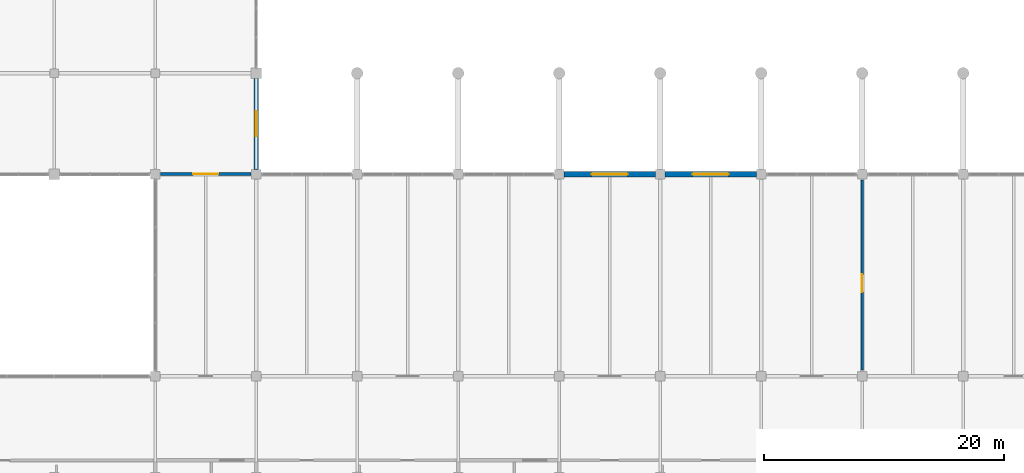
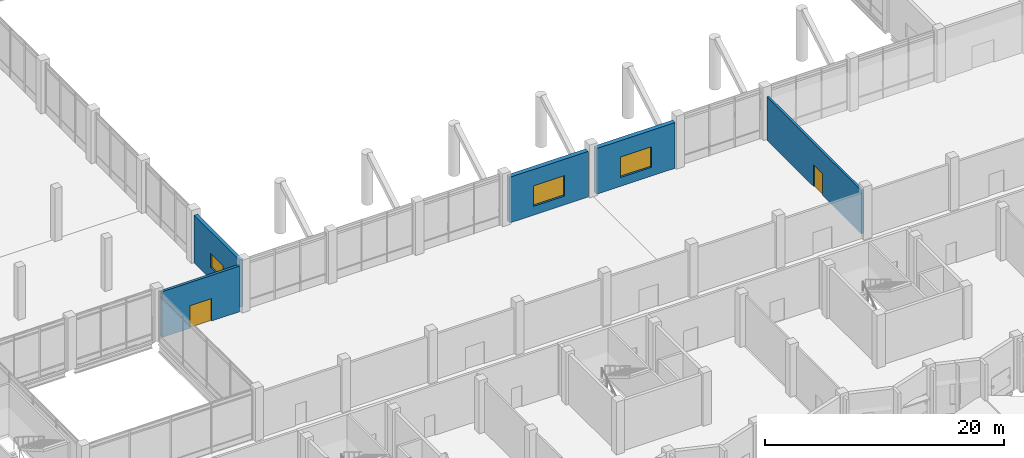
# One storey, part 53 of 72: 5 walls, 3 windows, 2 doors, 5 openings.
"""IFC4 building model written with IfcOpenShell, lengths in metres."""

from ifc_helpers import new_model, si_unit, direction, frame, frame_2d, origin, place, context, subcontext, project, spatial, rectangle, extrude, material, layer, layer_set, type_object, element, fill, save


model = new_model("IFC4")

# Units and contexts
model_context = context("Model", 3, precision=1e-05, world=origin(), true_north=direction((0.0, 1.0)))
body_context = subcontext(model_context, "Body", "Model", "MODEL_VIEW")
ifc_project = project(units=[si_unit("LENGTHUNIT", "METRE"), si_unit("AREAUNIT", "SQUARE_METRE"), si_unit("VOLUMEUNIT", "CUBIC_METRE"), si_unit("PLANEANGLEUNIT", "RADIAN"), si_unit("MASSUNIT", "GRAM", prefix="KILO")], contexts=[model_context])

# Site, building, storey
site_placement = place(None, origin())
site = spatial("IfcSite", under=ifc_project, at=site_placement, CompositionType="ELEMENT")
building_placement = place(site_placement, origin())
building = spatial("IfcBuilding", under=site, at=building_placement, Name="Qawsi Khor Wholesale Market", CompositionType="ELEMENT")
storey_placement = place(building_placement, frame((0.0, 0.0, 6.0)))
storey = spatial("IfcBuildingStorey", under=building, at=storey_placement, Name="L01", CompositionType="ELEMENT", Elevation=6.0)

# Wall, opening, door
ifc_material_1 = material(Name="Gypsum Fireboard on Steel Stud", Category="steel")
ifc_layer_1 = layer(ifc_material_1, 0.2099609375, Name="Gypsum Fireboard on Steel Stud")
ifc_layer_set_1 = layer_set([ifc_layer_1], Name="Gypsum Fireboard on Steel Stud")
wall_type_1 = type_object("IfcWallType", Name="Corridor Fire Partition Wall 210", PredefinedType="PARTITIONING", material=ifc_layer_set_1)
wall_1_placement = place(storey_placement, frame((126.0, 25.699951171875, 0.0), z_axis=(0.0, 0.0, 1.0), x_axis=(0.0, 1.0, 0.0)))
wall_1 = element("IfcWall", 1, at=wall_1_placement, inside=storey, type_object=wall_type_1, Name="PW-L01-070", PredefinedType="PARTITIONING", context=body_context, shape_type="SweptSolid", body=[
    extrude(rectangle(XDim=15.800048828125, YDim=0.2099609375, at=frame_2d((7.89990234375, 0.0))), origin(), (0.0, 0.0, 1.0), 4.429931640625),
])
opening_1_placement = place(wall_1_placement, frame((6.5, 0.0, 0.0)))
opening_1 = element("IfcOpeningElement", 2, at=opening_1_placement, cuts=wall_1, Name="Opening ID-10", PredefinedType="OPENING", context=body_context, shape_type="SweptSolid", body=[
    extrude(rectangle(XDim=1.4599609375, YDim=2.219970703125, at=frame_2d((0.72998046875, 1.10986328125))), frame((0.0, 0.114990234375, 0.0), z_axis=(0.0, -1.0, 0.0), x_axis=(1.0, 0.0, 0.0)), (0.0, 0.0, 1.0), 0.22998046875),
])
ifc_material_2 = material(Name="Brushed Stainless Steel", Category="steel")
door_type_1 = type_object("IfcDoorType", Name="Commercial Kitchen Service Door 1460x2220 FD60S", OperationType="NOTDEFINED", PredefinedType="DOOR", material=ifc_material_2)
door_1_placement = place(opening_1_placement, origin())
door_1 = element("IfcDoor", 3, at=door_1_placement, inside=storey, type_object=door_type_1, Name="Commercial Kitchen Service Door 1460x2220 FD60S L01-078", OperationType="SINGLE_SWING_LEFT", OverallHeight=2.219970703125, OverallWidth=1.4599609375, PredefinedType="DOOR", context=body_context, shape_type="SweptSolid", body=[
    extrude(rectangle(XDim=1.4599609375, YDim=2.219970703125, at=frame_2d((0.72998046875, 1.10986328125))), frame((0.0, 0.02490234375, 0.0), z_axis=(0.0, -1.0, 0.0), x_axis=(1.0, 0.0, 0.0)), (0.0, 0.0, 1.0), 0.050048828125),
])
fill(opening_1, door_1)

ifc_material_3 = material(Name="Concrete Blockwork & Plaster", Category="masonry")
ifc_layer_2 = layer(ifc_material_3, 0.25, Name="Concrete Blockwork & Plaster")
ifc_layer_set_2 = layer_set([ifc_layer_2], Name="Concrete Blockwork & Plaster")
wall_type_2 = type_object("IfcWallType", Name="Fire Compartment Masonry Wall 250", PredefinedType="SOLIDWALL", material=ifc_layer_set_2)
wall_2_placement = place(storey_placement, frame((67.64990234375, 42.0, 0.0), z_axis=(0.0, 0.0, 1.0), x_axis=(1.0, 0.0, 0.0)))
wall_2 = element("IfcWall", 4, at=wall_2_placement, inside=storey, type_object=wall_type_2, Name="Grid F fire compartment wall L01-08", PredefinedType="SOLIDWALL", context=body_context, shape_type="SweptSolid", body=[
    extrude(rectangle(XDim=7.5, YDim=0.25, at=frame_2d((3.75, 0.0))), origin(), (0.0, 0.0, 1.0), 4.669921875),
])
opening_2_placement = place(wall_2_placement, frame((2.699951171875, 0.0, 0.0)))
opening_2 = element("IfcOpeningElement", 5, at=opening_2_placement, cuts=wall_2, Name="Opening ID-03", PredefinedType="OPENING", context=body_context, shape_type="SweptSolid", body=[
    extrude(rectangle(XDim=2.10009765625, YDim=2.300048828125, at=frame_2d((1.050048828125, 1.14990234375))), frame((0.0, 0.135009765625, 0.0), z_axis=(0.0, -1.0, 0.0), x_axis=(1.0, 0.0, 0.0)), (0.0, 0.0, 1.0), 0.27001953125),
])
ifc_material_4 = material(Name="Glazed Steel Fire Door", Category="steel")
door_type_2 = type_object("IfcDoorType", Name="Hall Concourse Double Door 2100x2300 FD60S", OperationType="NOTDEFINED", PredefinedType="DOOR", material=ifc_material_4)
door_2_placement = place(opening_2_placement, origin())
door_2 = element("IfcDoor", 6, at=door_2_placement, inside=storey, type_object=door_type_2, Name="Hall concourse compartment door L01-08", OperationType="DOUBLE_DOOR_SINGLE_SWING", OverallHeight=2.300048828125, OverallWidth=2.10009765625, PredefinedType="DOOR", context=body_context, shape_type="SweptSolid", body=[
    extrude(rectangle(XDim=2.10009765625, YDim=2.300048828125, at=frame_2d((1.050048828125, 1.14990234375))), frame((0.0, 0.02490234375, 0.0), z_axis=(0.0, -1.0, 0.0), x_axis=(1.0, 0.0, 0.0)), (0.0, 0.0, 1.0), 0.050048828125),
])
fill(opening_2, door_2)

# Wall, opening, window
ifc_material_5 = material(Name="Concrete C40/50", Category="concrete")
ifc_layer_3 = layer(ifc_material_5, 0.429931640625, Name="Concrete C40/50")
ifc_layer_set_3 = layer_set([ifc_layer_3], Name="Concrete C40/50")
wall_type_3 = type_object("IfcWallType", Name="Sculpted Ribbed Concrete Facade Wall 430", PredefinedType="SOLIDWALL", material=ifc_layer_set_3)
wall_3_placement = place(storey_placement, frame((101.205078125, 42.0, 0.0), z_axis=(0.0, 0.0, 1.0), x_axis=(1.0, 0.0, 0.0)))
wall_3 = element("IfcWall", 7, at=wall_3_placement, inside=storey, type_object=wall_type_3, Name="EW-L01-SWN-12", PredefinedType="SOLIDWALL", context=body_context, shape_type="SweptSolid", body=[
    extrude(rectangle(XDim=7.58984375, YDim=0.429931640625, at=frame_2d((3.794921875, 0.0))), origin(), (0.0, 0.0, 1.0), 4.669921875),
])
opening_3_placement = place(wall_3_placement, frame((2.294921875, 0.0, 0.89990234375)))
opening_3 = element("IfcOpeningElement", 8, at=opening_3_placement, cuts=wall_3, Name="Opening W-10", PredefinedType="OPENING", context=body_context, shape_type="SweptSolid", body=[
    extrude(rectangle(XDim=3.0, YDim=2.10009765625, at=frame_2d((1.5, 1.050048828125))), frame((0.0, 0.224853515625, 0.0), z_axis=(0.0, -1.0, 0.0), x_axis=(1.0, 0.0, 0.0)), (0.0, 0.0, 1.0), 0.449951171875),
])
ifc_material_6 = material(Name="Thermally Broken Aluminium & Low-E Glass", Category="aluminium")
window_type_1 = type_object("IfcWindowType", Name="Win W-10 Canteen Court Ribbon 3000x2100", PartitioningType="SINGLE_PANEL", PredefinedType="WINDOW", material=ifc_material_6)
window_1_placement = place(opening_3_placement, origin())
window_1 = element("IfcWindow", 9, at=window_1_placement, inside=storey, type_object=window_type_1, Name="Win W-10 Canteen Court Ribbon 3000x2100 133", OverallHeight=2.10009765625, OverallWidth=3.0, PartitioningType="SINGLE_PANEL", PredefinedType="WINDOW", context=body_context, shape_type="SweptSolid", body=[
    extrude(rectangle(XDim=3.0, YDim=2.10009765625, at=frame_2d((1.5, 1.050048828125))), frame((0.0, 0.030029296875, 0.0), z_axis=(0.0, -1.0, 0.0), x_axis=(1.0, 0.0, 0.0)), (0.0, 0.0, 1.0), 0.06005859375),
])
fill(opening_3, window_1)

wall_4_placement = place(storey_placement, frame((109.60498046875, 42.0, 0.0), z_axis=(0.0, 0.0, 1.0), x_axis=(1.0, 0.0, 0.0)))
wall_4 = element("IfcWall", 10, at=wall_4_placement, inside=storey, type_object=wall_type_3, Name="EW-L01-SWN-13", PredefinedType="SOLIDWALL", context=body_context, shape_type="SweptSolid", body=[
    extrude(rectangle(XDim=7.590087890625, YDim=0.429931640625, at=frame_2d((3.794921875, 0.0))), origin(), (0.0, 0.0, 1.0), 4.669921875),
])
opening_4_placement = place(wall_4_placement, frame((2.294921875, 0.0, 0.89990234375)))
opening_4 = element("IfcOpeningElement", 11, at=opening_4_placement, cuts=wall_4, Name="Opening W-10", PredefinedType="OPENING", context=body_context, shape_type="SweptSolid", body=[
    extrude(rectangle(XDim=3.0, YDim=2.10009765625, at=frame_2d((1.5, 1.050048828125))), frame((0.0, 0.224853515625, 0.0), z_axis=(0.0, -1.0, 0.0), x_axis=(1.0, 0.0, 0.0)), (0.0, 0.0, 1.0), 0.449951171875),
])
window_2_placement = place(opening_4_placement, origin())
window_2 = element("IfcWindow", 12, at=window_2_placement, inside=storey, type_object=window_type_1, Name="Win W-10 Canteen Court Ribbon 3000x2100 134", OverallHeight=2.10009765625, OverallWidth=3.0, PartitioningType="SINGLE_PANEL", PredefinedType="WINDOW", context=body_context, shape_type="SweptSolid", body=[
    extrude(rectangle(XDim=3.0, YDim=2.10009765625, at=frame_2d((1.5, 1.050048828125))), frame((0.0, 0.030029296875, 0.0), z_axis=(0.0, -1.0, 0.0), x_axis=(1.0, 0.0, 0.0)), (0.0, 0.0, 1.0), 0.06005859375),
])
fill(opening_4, window_2)

ifc_layer_4 = layer(ifc_material_5, 0.35009765625, Name="Concrete C40/50")
ifc_layer_set_4 = layer_set([ifc_layer_4], Name="Concrete C40/50")
wall_type_4 = type_object("IfcWallType", Name="Trading Hall Precast Concrete Wall 350", PredefinedType="SOLIDWALL", material=ifc_layer_set_4)
wall_5_placement = place(storey_placement, frame((75.60009765625, 49.969970703125, 0.0), z_axis=(0.0, 0.0, 1.0), x_axis=(0.0, -1.0, 0.0)))
wall_5 = element("IfcWall", 13, at=wall_5_placement, inside=storey, type_object=wall_type_4, Name="EW-L01-WHE-05", PredefinedType="SOLIDWALL", context=body_context, shape_type="SweptSolid", body=[
    extrude(rectangle(XDim=7.56494140625, YDim=0.35009765625, at=frame_2d((3.782470703125, 0.0))), origin(), (0.0, 0.0, 1.0), 4.860107421875),
])
opening_5_placement = place(wall_5_placement, frame((2.719970703125, 0.0, 1.199951171875)))
opening_5 = element("IfcOpeningElement", 14, at=opening_5_placement, cuts=wall_5, Name="Opening W-07", PredefinedType="OPENING", context=body_context, shape_type="SweptSolid", body=[
    extrude(rectangle(XDim=2.10009765625, YDim=1.449951171875, at=frame_2d((1.050048828125, 0.72509765625))), frame((0.0, 0.18505859375, 0.0), z_axis=(0.0, -1.0, 0.0), x_axis=(1.0, 0.0, 0.0)), (0.0, 0.0, 1.0), 0.3701171875),
])
window_type_2 = type_object("IfcWindowType", Name="Win W-07 Laboratory Sealed 2100x1450", PartitioningType="SINGLE_PANEL", PredefinedType="WINDOW", material=ifc_material_6)
window_3_placement = place(opening_5_placement, origin())
window_3 = element("IfcWindow", 15, at=window_3_placement, inside=storey, type_object=window_type_2, Name="Win W-07 Laboratory Sealed 2100x1450 163", OverallHeight=1.449951171875, OverallWidth=2.10009765625, PartitioningType="SINGLE_PANEL", PredefinedType="WINDOW", context=body_context, shape_type="SweptSolid", body=[
    extrude(rectangle(XDim=2.10009765625, YDim=1.449951171875, at=frame_2d((1.050048828125, 0.72509765625))), frame((0.0, 0.030029296875, 0.0), z_axis=(0.0, -1.0, 0.0), x_axis=(1.0, 0.0, 0.0)), (0.0, 0.0, 1.0), 0.06005859375),
])
fill(opening_5, window_3)

save(model, "model.ifc")
